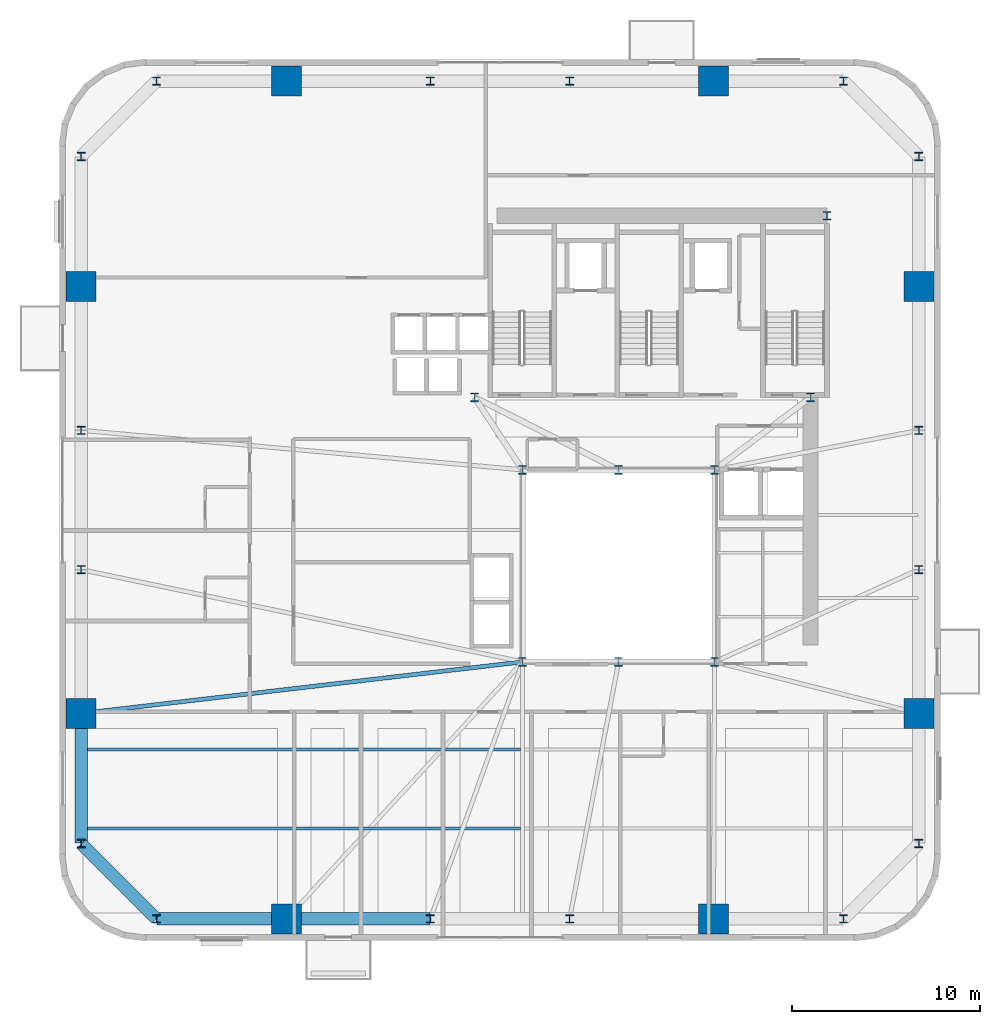
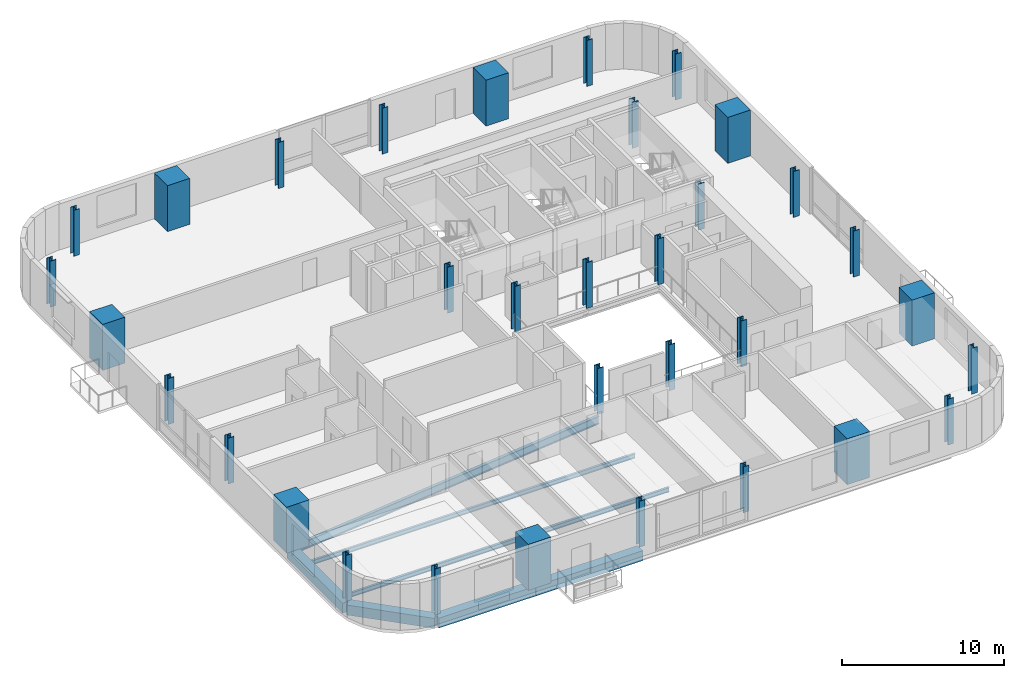
# One storey, part 1 of 11: 33 columns, 7 beams.
"""IFC4 building model written with IfcOpenShell, lengths in metres."""

import ifcopenshell
import ifcopenshell.guid

model = None  # the IFC model being written
_history = None  # IfcOwnerHistory: only IFC2X3 demands one
_inside = {}  # id of a spatial element -> (the spatial element, [elements in it])
_under = {}  # id of a project, library or spatial element -> (it, [spatial elements below it])
_declared = {}  # id of a project -> (the project, [libraries it declares])
_typed = {}  # id of a type object -> (the type object, [elements of that type])
_made_of = {}  # id of a material, layer set ... -> (it, [elements and type objects made of it])


def new_model(schema):
    """Start an empty IFC model of exactly this schema.

    Asked for "IFC4X3", IfcOpenShell would pick the latest addendum, in which some entities
    have other attributes; the version numbers below select the first issue.
    IFC2X3 requires an IfcOwnerHistory on every rooted entity: one is made here for all.
    """
    global model, _history
    if schema == "IFC4X3":
        model = ifcopenshell.file(schema_version=(4, 3, 0, 0))
    else:
        model = ifcopenshell.file(schema=schema)
    _inside.clear()
    _under.clear()
    _declared.clear()
    _typed.clear()
    _made_of.clear()
    _history = None
    if model.schema == "IFC2X3":
        org = make("IfcOrganization", Name="unknown")
        user = make(
            "IfcPersonAndOrganization",
            ThePerson=make("IfcPerson", FamilyName="unknown"),
            TheOrganization=org,
        )
        app = make(
            "IfcApplication",
            ApplicationDeveloper=org,
            Version="unknown",
            ApplicationFullName="unknown",
            ApplicationIdentifier="unknown",
        )
        _history = make(
            "IfcOwnerHistory",
            OwningUser=user,
            OwningApplication=app,
            ChangeAction="ADDED",
            CreationDate=0,
        )
    return model


def make(cls, **values):
    """One entity of the class cls with the attributes given. An attribute that is None is left unset."""
    return model.create_entity(
        cls, **{name: value for name, value in values.items() if value is not None}
    )


def rooted(cls, **values):
    """An entity with a GlobalId (a new one), such as an element, a storey or a relation."""
    return make(cls, GlobalId=ifcopenshell.guid.new(), OwnerHistory=_history, **values)


def si_unit(unit_type, name, prefix=None):
    """IfcSIUnit, for example si_unit("LENGTHUNIT", "METRE", prefix="MILLI")."""
    return make("IfcSIUnit", UnitType=unit_type, Prefix=prefix, Name=name)


def assignment(units):
    """IfcUnitAssignment: the units of a project."""
    return None if units is None else make("IfcUnitAssignment", Units=units)


def point(xyz):
    """IfcCartesianPoint."""
    return None if xyz is None else make("IfcCartesianPoint", Coordinates=xyz)


def direction(xyz):
    """IfcDirection."""
    return None if xyz is None else make("IfcDirection", DirectionRatios=xyz)


def frame(location, z_axis=None, x_axis=None):
    """IfcAxis2Placement3D, a coordinate frame: its origin and axes. An axis left out is left unset."""
    return make(
        "IfcAxis2Placement3D",
        Location=point(location),
        Axis=direction(z_axis),
        RefDirection=direction(x_axis),
    )


def frame_2d(location, x_axis=None):
    """IfcAxis2Placement2D, a coordinate frame in the plane: its origin and x axis."""
    return make(
        "IfcAxis2Placement2D", Location=point(location), RefDirection=direction(x_axis)
    )


def origin():
    """The frame at (0, 0, 0) with its axes left unset."""
    return frame((0.0, 0.0, 0.0))


def origin_2d():
    """The frame at (0, 0) in the plane with its x axis left unset."""
    return frame_2d((0.0, 0.0))


def place(relative_to, where):
    """IfcLocalPlacement: puts the frame where relative to a parent placement (None: the world)."""
    return make(
        "IfcLocalPlacement", PlacementRelTo=relative_to, RelativePlacement=where
    )


def context(
    kind, dimensions, precision=None, world=None, true_north=None, identifier=None
):
    """IfcGeometricRepresentationContext, for example the 3D "Model" context."""
    return make(
        "IfcGeometricRepresentationContext",
        ContextIdentifier=identifier,
        ContextType=kind,
        CoordinateSpaceDimension=dimensions,
        Precision=precision,
        WorldCoordinateSystem=world,
        TrueNorth=true_north,
    )


def subcontext(parent, identifier, kind, view, scale=None):
    """IfcGeometricRepresentationSubContext, for example "Body" below "Model"."""
    return make(
        "IfcGeometricRepresentationSubContext",
        ContextIdentifier=identifier,
        ContextType=kind,
        ParentContext=parent,
        TargetScale=scale,
        TargetView=view,
    )


def project(units=None, contexts=None):
    """IfcProject with its units and contexts."""
    return rooted(
        "IfcProject",
        Name="project",
        RepresentationContexts=contexts,
        UnitsInContext=assignment(units),
    )


def spatial(cls, under=None, at=None, **own):
    """A site, building, storey or space (cls), placed at a placement, below another one or the project."""
    s = rooted(cls, ObjectPlacement=at, **own)
    if under is not None:
        _under.setdefault(under.id(), (under, []))[1].append(s)
    return s


def profile(cls, at=None, kind="AREA", **sizes):
    """A parametric profile (cls). Its sizes go by their IFC names, for example OverallWidth=200.0."""
    return make(cls, ProfileType=kind, Position=at, **sizes)


def rectangle(**sizes):
    """IfcRectangleProfileDef."""
    return profile("IfcRectangleProfileDef", **sizes)


def i_section(**sizes):
    """IfcIShapeProfileDef."""
    return profile("IfcIShapeProfileDef", **sizes)


def extrude(swept, where, along, depth):
    """IfcExtrudedAreaSolid: the profile swept, set in the frame where, extruded along a direction by depth."""
    return make(
        "IfcExtrudedAreaSolid",
        SweptArea=swept,
        Position=where,
        ExtrudedDirection=direction(along),
        Depth=depth,
    )


def shape(context_of_items, identifier, shape_type, items):
    """IfcShapeRepresentation: the items that make up one representation, for example the "Body"."""
    return make(
        "IfcShapeRepresentation",
        ContextOfItems=context_of_items,
        RepresentationIdentifier=identifier,
        RepresentationType=shape_type,
        Items=items,
    )


def source(mapping_origin, context_of_items, identifier, shape_type, items):
    """IfcRepresentationMap: a shape defined once, which mapped items show again and again."""
    return make(
        "IfcRepresentationMap",
        MappingOrigin=mapping_origin,
        MappedRepresentation=shape(context_of_items, identifier, shape_type, items),
    )


def transform(
    local_origin,
    x_axis=None,
    y_axis=None,
    z_axis=None,
    scale=None,
    scale2=None,
    scale3=None,
    uniform=True,
):
    """IfcCartesianTransformationOperator3D, or its non-uniform kind. x_axis, y_axis, z_axis: its Axis1, 2, 3."""
    if uniform:
        return make(
            "IfcCartesianTransformationOperator3D",
            Axis1=direction(x_axis),
            Axis2=direction(y_axis),
            LocalOrigin=point(local_origin),
            Scale=scale,
            Axis3=direction(z_axis),
        )
    return make(
        "IfcCartesianTransformationOperator3DnonUniform",
        Axis1=direction(x_axis),
        Axis2=direction(y_axis),
        LocalOrigin=point(local_origin),
        Scale=scale,
        Axis3=direction(z_axis),
        Scale2=scale2,
        Scale3=scale3,
    )


def mapped(mapping_source, mapping_target):
    """IfcMappedItem: shows the shape of a source again, moved by a transform."""
    return make(
        "IfcMappedItem", MappingSource=mapping_source, MappingTarget=mapping_target
    )


def material(Name=None, Category=None):
    """IfcMaterial."""
    return make("IfcMaterial", Name=Name, Category=Category)


def material_profile(
    of_material, cross_section, Name=None, Category=None, Priority=None
):
    """IfcMaterialProfile: a cross section and its material."""
    return make(
        "IfcMaterialProfile",
        Name=Name,
        Material=of_material,
        Profile=cross_section,
        Priority=Priority,
        Category=Category,
    )


def profile_set(profiles, Name=None, composite=None):
    """IfcMaterialProfileSet."""
    return make(
        "IfcMaterialProfileSet",
        Name=Name,
        MaterialProfiles=profiles,
        CompositeProfile=composite,
    )


def made_of(thing, what):
    """Note that an element or type object is made of a material, layer set ...; save() writes the relation."""
    if what is not None:
        _made_of.setdefault(what.id(), (what, []))[1].append(thing)
    return thing


def type_object(cls, material=None, **own):
    """A type object (cls), such as IfcWallType, which elements share."""
    return made_of(rooted(cls, **own), material)


def element(
    cls,
    number,
    at=None,
    inside=None,
    cuts=None,
    type_object=None,
    material=None,
    context=None,
    identifier="Body",
    shape_type=None,
    held_by="IfcProductDefinitionShape",
    body=None,
    shapes=None,
    **own,
):
    """One element of the class cls, such as IfcWall. Its Tag is "e" and its number.

    at: its placement. inside: the storey or other place that contains it. cuts: it is an
    opening in that element (IfcRelVoidsElement). A single representation is given by context,
    identifier, shape_type and body (its items); several are given by shapes. held_by: the class
    of the entity that holds the representations. save() writes the other relations.
    """
    e = rooted(cls, Tag="e%d" % number, ObjectPlacement=at, **own)
    if body is not None:
        shapes = [shape(context, identifier, shape_type, body)]
    if shapes is not None:
        e.Representation = make(held_by, Representations=shapes)
    if inside is not None:
        _inside.setdefault(inside.id(), (inside, []))[1].append(e)
    if cuts is not None:
        rooted(
            "IfcRelVoidsElement", RelatingBuildingElement=cuts, RelatedOpeningElement=e
        )
    if type_object is not None:
        _typed.setdefault(type_object.id(), (type_object, []))[1].append(e)
    return made_of(e, material)


def aggregate(whole, parts):
    """IfcRelAggregates: a whole, such as a stair, and the parts it consists of."""
    return rooted("IfcRelAggregates", RelatingObject=whole, RelatedObjects=parts)


def save(model, path):
    """Write the relations noted so far, then the file.

    IfcRelAggregates (storeys below a building ...), IfcRelContainedInSpatialStructure (elements
    in a storey), IfcRelDefinesByType, IfcRelAssociatesMaterial and IfcRelDeclares: one each for
    every whole, place, type object, material and project.
    """
    for whole, parts in _under.values():
        aggregate(whole, parts)
    for where, things in _inside.values():
        rooted(
            "IfcRelContainedInSpatialStructure",
            RelatedElements=things,
            RelatingStructure=where,
        )
    for kind, things in _typed.values():
        rooted("IfcRelDefinesByType", RelatedObjects=things, RelatingType=kind)
    for what, things in _made_of.values():
        rooted("IfcRelAssociatesMaterial", RelatedObjects=things, RelatingMaterial=what)
    for by, libraries in _declared.values():
        rooted("IfcRelDeclares", RelatingContext=by, RelatedDefinitions=libraries)
    model.write(path)


model = new_model("IFC4")

# Units and contexts
model_context = context("Model", 3, precision=1e-05, world=origin(), true_north=direction((0.0, 1.0)))
body_context = subcontext(model_context, "Body", "Model", "MODEL_VIEW")
ifc_project = project(units=[si_unit("LENGTHUNIT", "METRE"), si_unit("AREAUNIT", "SQUARE_METRE"), si_unit("VOLUMEUNIT", "CUBIC_METRE"), si_unit("PLANEANGLEUNIT", "RADIAN"), si_unit("MASSUNIT", "GRAM", prefix="KILO")], contexts=[model_context])

# Site, building, storey
site_placement = place(None, origin())
site = spatial("IfcSite", under=ifc_project, at=site_placement, CompositionType="ELEMENT")
building_placement = place(site_placement, origin())
building = spatial("IfcBuilding", under=site, at=building_placement, Name="Vardaveli Station Tower", CompositionType="ELEMENT")
storey_placement = place(building_placement, frame((0.0, 0.0, 155.699951171875)))
storey = spatial("IfcBuildingStorey", under=building, at=storey_placement, Name="L40", CompositionType="ELEMENT", Elevation=155.699951171875)

# Columns
ifc_material_1 = material(Name="Structural steel S460M", Category="steel")
ifc_material_profile_1 = material_profile(ifc_material_1, i_section(OverallWidth=0.424072265625, OverallDepth=0.465087890625, WebThickness=0.034912109375, FlangeThickness=0.055908203125, FilletRadius=0.014892578125, at=origin_2d()), Name="HD 400x592")
ifc_profile_set_1 = profile_set([ifc_material_profile_1], Name="Structural steel S460M")
column_type_1 = type_object("IfcColumnType", Name="COL-HD592", PredefinedType="COLUMN", material=ifc_profile_set_1)
shared_shape_1 = source(origin(), body_context, "Body", "SweptSolid", [
    extrude(i_section(OverallWidth=0.424072265625, OverallDepth=0.465087890625, WebThickness=0.034912109375, FlangeThickness=0.055908203125, FilletRadius=0.014892578125, at=origin_2d()), origin(), (0.0, 0.0, 1.0), 3.4599609375),
])
for number, where, z_axis, x_axis, name in (
    (1, (31.199951171875, 16.60009765625, 0.0), (0.0, 0.0, 1.0), (1.0, 0.0, 0.0), "COL-L40-AC1"),
    (2, (36.300048828125, 16.60009765625, 0.0), (0.0, 0.0, 1.0), (1.0, 0.0, 0.0), "COL-L40-AC2"),
    (3, (41.39990234375, 16.60009765625, 0.0), (0.0, 0.0, 1.0), (1.0, 0.0, 0.0), "COL-L40-AC3"),
    (4, (41.39990234375, 26.800048828125, 0.0), (0.0, 0.0, 1.0), (1.0, 0.0, 0.0), "COL-L40-AC4"),
    (5, (36.300048828125, 26.800048828125, 0.0), (0.0, 0.0, 1.0), (1.0, 0.0, 0.0), "COL-L40-AC5"),
    (6, (31.199951171875, 26.800048828125, 0.0), (0.0, 0.0, 1.0), (1.0, 0.0, 0.0), "COL-L40-AC6"),
    (7, (28.64990234375, 30.64990234375, 0.0), (0.0, 0.0, 1.0), (1.0, 0.0, 0.0), "COL-L40-CC1"),
    (8, (46.5, 30.64990234375, 0.0), (0.0, 0.0, 1.0), (1.0, 0.0, 0.0), "COL-L40-CC2"),
    (9, (47.3701171875, 40.300048828125, 0.0), (0.0, 0.0, 1.0), (1.0, 0.0, 0.0), "COL-L40-CC3"),
):
    element("IfcColumn", number, at=place(storey_placement, frame(where, z_axis=z_axis, x_axis=x_axis)), inside=storey, type_object=column_type_1, Name=name, PredefinedType="COLUMN", context=body_context, shape_type="MappedRepresentation", body=[
        mapped(shared_shape_1, transform((0.0, 0.0, 0.0), scale=1.0)),
    ])
ifc_material_2 = material(Name="Concrete C60/75", Category="concrete")
ifc_material_profile_2 = material_profile(ifc_material_2, rectangle(XDim=1.60009765625, YDim=1.60009765625, at=origin_2d()), Name="MC 1600x1600")
ifc_profile_set_2 = profile_set([ifc_material_profile_2], Name="Concrete C60/75")
column_type_2 = type_object("IfcColumnType", Name="COL-MC-1600", PredefinedType="COLUMN", material=ifc_profile_set_2)
shared_shape_2 = source(origin(), body_context, "Body", "SweptSolid", [
    extrude(rectangle(XDim=1.60009765625, YDim=1.60009765625, at=origin_2d()), origin(), (0.0, 0.0, 1.0), 3.4599609375),
])
for number, where, z_axis, x_axis, name in (
    (10, (18.659912109375, 2.949951171875, 0.0), (0.0, 0.0, 1.0), (1.0, 0.0, 0.0), "COL-L40-MC1"),
    (11, (41.340087890625, 2.949951171875, 0.0), (0.0, 0.0, 1.0), (1.0, 0.0, 0.0), "COL-L40-MC2"),
    (12, (52.25, 13.860107421875, 0.0), (0.0, 0.0, 1.0), (1.0, 0.0, 0.0), "COL-L40-MC3"),
    (13, (52.25, 36.5400390625, 0.0), (0.0, 0.0, 1.0), (1.0, 0.0, 0.0), "COL-L40-MC4"),
    (14, (41.340087890625, 47.449951171875, 0.0), (0.0, 0.0, 1.0), (1.0, 0.0, 0.0), "COL-L40-MC5"),
    (15, (18.659912109375, 47.449951171875, 0.0), (0.0, 0.0, 1.0), (1.0, 0.0, 0.0), "COL-L40-MC6"),
    (16, (7.75, 36.5400390625, 0.0), (0.0, 0.0, 1.0), (1.0, 0.0, 0.0), "COL-L40-MC7"),
    (17, (7.75, 13.860107421875, 0.0), (0.0, 0.0, 1.0), (1.0, 0.0, 0.0), "COL-L40-MC8"),
):
    element("IfcColumn", number, at=place(storey_placement, frame(where, z_axis=z_axis, x_axis=x_axis)), inside=storey, type_object=column_type_2, Name=name, PredefinedType="COLUMN", context=body_context, shape_type="MappedRepresentation", body=[
        mapped(shared_shape_2, transform((0.0, 0.0, 0.0), scale=1.0)),
    ])
ifc_material_profile_3 = material_profile(ifc_material_1, i_section(OverallWidth=0.4140625, OverallDepth=0.431884765625, WebThickness=0.025634765625, FlangeThickness=0.0400390625, FilletRadius=0.014892578125, at=origin_2d()), Name="HD 400x421")
ifc_profile_set_3 = profile_set([ifc_material_profile_3], Name="Structural steel S460M")
column_type_3 = type_object("IfcColumnType", Name="COL-HD421", PredefinedType="COLUMN", material=ifc_profile_set_3)
shared_shape_3 = source(origin(), body_context, "Body", "SweptSolid", [
    extrude(i_section(OverallWidth=0.4140625, OverallDepth=0.431884765625, WebThickness=0.025634765625, FlangeThickness=0.0400390625, FilletRadius=0.014892578125, at=origin_2d()), origin(), (0.0, 0.0, 1.0), 3.4599609375),
])
for number, where, z_axis, x_axis, name in (
    (18, (11.75, 2.949951171875, 0.0), (0.0, 0.0, 1.0), (1.0, 0.0, 0.0), "COL-L40-PC01"),
    (19, (26.300048828125, 2.949951171875, 0.0), (0.0, 0.0, 1.0), (1.0, 0.0, 0.0), "COL-L40-PC02"),
    (20, (33.699951171875, 2.949951171875, 0.0), (0.0, 0.0, 1.0), (1.0, 0.0, 0.0), "COL-L40-PC03"),
    (21, (48.25, 2.949951171875, 0.0), (0.0, 0.0, 1.0), (1.0, 0.0, 0.0), "COL-L40-PC04"),
    (22, (52.25, 6.949951171875, 0.0), (0.0, 0.0, 1.0), (1.0, 0.0, 0.0), "COL-L40-PC05"),
    (23, (52.25, 21.5, 0.0), (0.0, 0.0, 1.0), (1.0, 0.0, 0.0), "COL-L40-PC06"),
    (24, (52.25, 28.89990234375, 0.0), (0.0, 0.0, 1.0), (1.0, 0.0, 0.0), "COL-L40-PC07"),
    (25, (52.25, 43.449951171875, 0.0), (0.0, 0.0, 1.0), (1.0, 0.0, 0.0), "COL-L40-PC08"),
    (26, (48.25, 47.449951171875, 0.0), (0.0, 0.0, 1.0), (1.0, 0.0, 0.0), "COL-L40-PC09"),
    (27, (33.699951171875, 47.449951171875, 0.0), (0.0, 0.0, 1.0), (1.0, 0.0, 0.0), "COL-L40-PC10"),
    (28, (26.300048828125, 47.449951171875, 0.0), (0.0, 0.0, 1.0), (1.0, 0.0, 0.0), "COL-L40-PC11"),
    (29, (11.75, 47.449951171875, 0.0), (0.0, 0.0, 1.0), (1.0, 0.0, 0.0), "COL-L40-PC12"),
    (30, (7.75, 43.449951171875, 0.0), (0.0, 0.0, 1.0), (1.0, 0.0, 0.0), "COL-L40-PC13"),
    (31, (7.75, 28.89990234375, 0.0), (0.0, 0.0, 1.0), (1.0, 0.0, 0.0), "COL-L40-PC14"),
    (32, (7.75, 21.5, 0.0), (0.0, 0.0, 1.0), (1.0, 0.0, 0.0), "COL-L40-PC15"),
    (33, (7.75, 6.949951171875, 0.0), (0.0, 0.0, 1.0), (1.0, 0.0, 0.0), "COL-L40-PC16"),
):
    element("IfcColumn", number, at=place(storey_placement, frame(where, z_axis=z_axis, x_axis=x_axis)), inside=storey, type_object=column_type_3, Name=name, PredefinedType="COLUMN", context=body_context, shape_type="MappedRepresentation", body=[
        mapped(shared_shape_3, transform((0.0, 0.0, 0.0), scale=1.0)),
    ])

# Beams
ifc_material_3 = material(Name="Precast concrete C45/55", Category="concrete")
ifc_material_profile_4 = material_profile(ifc_material_3, rectangle(XDim=0.64990234375, YDim=0.75, at=origin_2d()), Name="LPB 650x750")
ifc_profile_set_4 = profile_set([ifc_material_profile_4], Name="Precast concrete C45/55")
beam_type_1 = type_object("IfcBeamType", Name="BM-LPB-750", PredefinedType="BEAM", material=ifc_profile_set_4)
shared_shape_4 = source(origin(), body_context, "Body", "SweptSolid", [
    extrude(rectangle(XDim=0.64990234375, YDim=0.75, at=origin_2d()), origin(), (0.0, 0.0, 1.0), 7.60009765625),
])
beam_1_placement = place(storey_placement, frame((18.679931640625, 2.949951171875, -0.614990234375), z_axis=(1.0, 0.0, 0.0), x_axis=(0.0, 1.0, 0.0)))
element("IfcBeam", 34, at=beam_1_placement, inside=storey, type_object=beam_type_1, Name="RBM-L40-01", PredefinedType="BEAM", context=body_context, shape_type="MappedRepresentation", body=[
    mapped(shared_shape_4, transform((0.0, 0.0, 0.0), scale=1.0)),
])
shared_shape_5 = source(origin(), body_context, "Body", "SweptSolid", [
    extrude(rectangle(XDim=0.64990234375, YDim=0.75, at=origin_2d()), origin(), (0.0, 0.0, 1.0), 6.869873046875),
])
beam_2_placement = place(storey_placement, frame((11.77001953125, 2.949951171875, -0.614990234375), z_axis=(1.0, 0.0, 0.0), x_axis=(0.0, 1.0, 0.0)))
element("IfcBeam", 35, at=beam_2_placement, inside=storey, type_object=beam_type_1, Name="RBM-L40-24", PredefinedType="BEAM", context=body_context, shape_type="MappedRepresentation", body=[
    mapped(shared_shape_5, transform((0.0, 0.0, 0.0), scale=1.0)),
])
shared_shape_6 = source(origin(), body_context, "Body", "SweptSolid", [
    extrude(rectangle(XDim=0.64990234375, YDim=0.75, at=origin_2d()), origin(), (0.0, 0.0, 1.0), 5.61669921875),
])
beam_3_placement = place(storey_placement, frame((7.76416015625, 6.935791015625, -0.614990234375), z_axis=(0.707106781187, -0.707106781187, 0.0), x_axis=(0.707106781187, 0.707106781187, 0.0)))
element("IfcBeam", 36, at=beam_3_placement, inside=storey, type_object=beam_type_1, Name="RBM-L40-23", PredefinedType="BEAM", context=body_context, shape_type="MappedRepresentation", body=[
    mapped(shared_shape_6, transform((0.0, 0.0, 0.0), scale=1.0)),
])
shared_shape_7 = source(origin(), body_context, "Body", "SweptSolid", [
    extrude(rectangle(XDim=0.64990234375, YDim=0.75, at=origin_2d()), origin(), (0.0, 0.0, 1.0), 6.8701171875),
])
beam_4_placement = place(storey_placement, frame((7.75, 13.840087890625, -0.614990234375), z_axis=(0.0, -1.0, 0.0), x_axis=(1.0, 0.0, 0.0)))
element("IfcBeam", 37, at=beam_4_placement, inside=storey, type_object=beam_type_1, Name="RBM-L40-22", PredefinedType="BEAM", context=body_context, shape_type="MappedRepresentation", body=[
    mapped(shared_shape_7, transform((0.0, 0.0, 0.0), scale=1.0)),
])
ifc_material_4 = material(Name="Structural steel S355J2", Category="steel")
ifc_material_profile_5 = material_profile(ifc_material_4, i_section(OverallWidth=0.159912109375, OverallDepth=0.330078125, WebThickness=0.007568359375, FlangeThickness=0.011474609375, FilletRadius=0.01806640625, at=origin_2d()), Name="IPE 330")
ifc_profile_set_5 = profile_set([ifc_material_profile_5], Name="Structural steel S355J2")
beam_type_2 = type_object("IfcBeamType", Name="BM-IPE330", PredefinedType="JOIST", material=ifc_profile_set_5)
shared_shape_8 = source(origin(), body_context, "Body", "SweptSolid", [
    extrude(i_section(OverallWidth=0.159912109375, OverallDepth=0.330078125, WebThickness=0.007568359375, FlangeThickness=0.011474609375, FilletRadius=0.01806640625, at=origin_2d()), origin(), (0.0, 0.0, 1.0), 23.2978515625),
])
for number, where, z_axis, x_axis, name in (
    (38, (7.7900390625, 7.75, -0.405029296875), (1.0, 0.0, 0.0), (0.0, 1.0, 0.0), "SJ-L40-S01"),
    (39, (7.7900390625, 11.949951171875, -0.405029296875), (1.0, 0.0, 0.0), (0.0, 1.0, 0.0), "SJ-L40-S03"),
):
    element("IfcBeam", number, at=place(storey_placement, frame(where, z_axis=z_axis, x_axis=x_axis)), inside=storey, type_object=beam_type_2, Name=name, PredefinedType="JOIST", context=body_context, shape_type="MappedRepresentation", body=[
        mapped(shared_shape_8, transform((0.0, 0.0, 0.0), scale=1.0)),
    ])
ifc_material_profile_6 = material_profile(ifc_material_4, i_section(OverallWidth=0.219970703125, OverallDepth=0.60009765625, WebThickness=0.011962890625, FlangeThickness=0.01904296875, FilletRadius=0.02392578125, at=origin_2d()), Name="IPE 600")
ifc_profile_set_6 = profile_set([ifc_material_profile_6], Name="Structural steel S355J2")
beam_type_3 = type_object("IfcBeamType", Name="BM-IPE600", PredefinedType="BEAM", material=ifc_profile_set_6)
shared_shape_9 = source(origin(), body_context, "Body", "SweptSolid", [
    extrude(i_section(OverallWidth=0.219970703125, OverallDepth=0.60009765625, WebThickness=0.011962890625, FlangeThickness=0.01904296875, FilletRadius=0.02392578125, at=origin_2d()), origin(), (0.0, 0.0, 1.0), 23.569580078125),
])
beam_5_placement = place(storey_placement, frame((7.769775390625, 13.8623046875, -0.5400390625), z_axis=(0.993242915589, 0.11605391261, 0.0), x_axis=(-0.11605391261, 0.993242915589, 0.0)))
element("IfcBeam", 40, at=beam_5_placement, inside=storey, type_object=beam_type_3, Name="GBM-L40-10", PredefinedType="BEAM", context=body_context, shape_type="MappedRepresentation", body=[
    mapped(shared_shape_9, transform((0.0, 0.0, 0.0), scale=1.0)),
])

save(model, "model.ifc")
